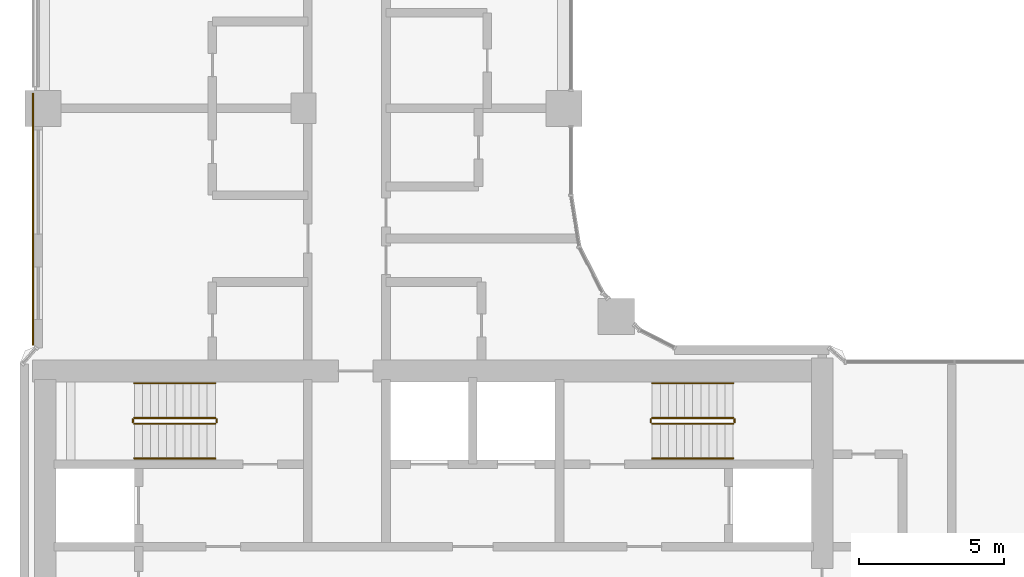
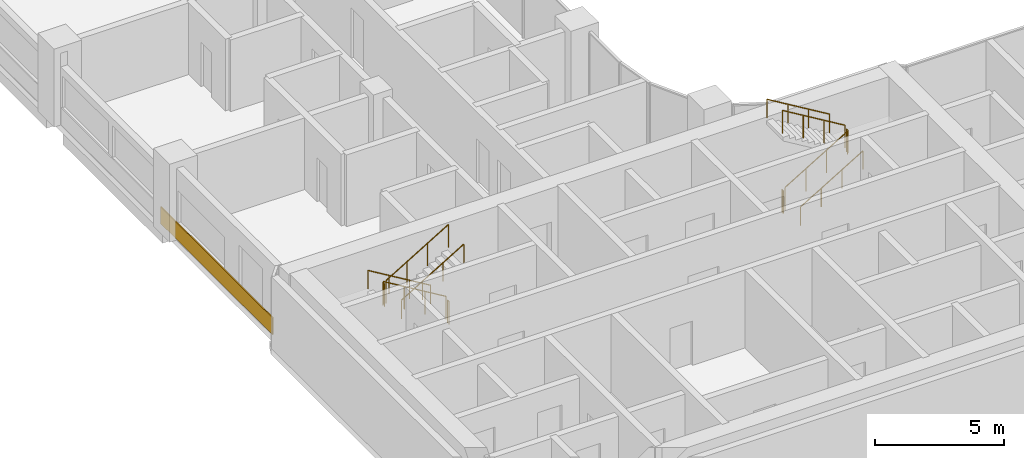
# One storey, part 29 of 33: 12 railings, 1 covering.
"""IFC4 building model written with IfcOpenShell, lengths in metres."""

from ifc_helpers import new_model, si_unit, direction, frame, origin, origin_2d, place, context, subcontext, project, spatial, rectangle, circle, extrude, material, layer, layer_set, type_object, element, save


model = new_model("IFC4")

# Units and contexts
model_context = context("Model", 3, precision=1e-05, world=origin(), true_north=direction((0.0, 1.0)))
body_context = subcontext(model_context, "Body", "Model", "MODEL_VIEW")
ifc_project = project(units=[si_unit("LENGTHUNIT", "METRE"), si_unit("AREAUNIT", "SQUARE_METRE"), si_unit("VOLUMEUNIT", "CUBIC_METRE"), si_unit("PLANEANGLEUNIT", "RADIAN"), si_unit("MASSUNIT", "GRAM", prefix="KILO")], contexts=[model_context])

# Site, building, storey
site_placement = place(None, origin())
site = spatial("IfcSite", under=ifc_project, at=site_placement, CompositionType="ELEMENT")
building_placement = place(site_placement, origin())
building = spatial("IfcBuilding", under=site, at=building_placement, Name="Ogive Portal Towers", CompositionType="ELEMENT")
storey_placement = place(building_placement, frame((0.0, 0.0, 101.89990234375)))
storey = spatial("IfcBuildingStorey", under=building, at=storey_placement, Name="L24", CompositionType="ELEMENT", Elevation=101.89990234375)

# Railings
ifc_material_1 = material(Name="Stainless steel balustrade", Category="steel")
railing_type_1 = type_object("IfcRailingType", Name="INT-GUARD", PredefinedType="GUARDRAIL", material=ifc_material_1)
railing_1_placement = place(storey_placement, frame((37.449951171875, 37.800048828125, 0.168212890625)))
element("IfcRailing", 1, at=railing_1_placement, inside=storey, type_object=railing_type_1, Name="L24 ST-A1 stair guard 1", PredefinedType="GUARDRAIL", context=body_context, shape_type="SweptSolid", body=[
    extrude(circle(Radius=0.02392578125, at=origin_2d()), frame((0.0, 0.0, 1.076171875), z_axis=(-0.857242210791, 0.0, 0.514913383045), x_axis=(0.0, -1.0, 0.0)), (0.0, 0.0, 1.0), 3.266357421875),
    extrude(circle(Radius=0.02099609375, at=origin_2d()), origin(), (0.0, 0.0, 1.0), 1.052001953125),
    extrude(circle(Radius=0.02099609375, at=origin_2d()), frame((-0.933349609375, 0.0, 0.560546875)), (0.0, 0.0, 1.0), 1.052001953125),
    extrude(circle(Radius=0.02099609375, at=origin_2d()), frame((-1.86669921875, 0.0, 1.121337890625)), (0.0, 0.0, 1.0), 1.052001953125),
    extrude(circle(Radius=0.02099609375, at=origin_2d()), frame((-2.800048828125, 0.0, 1.681884765625)), (0.0, 0.0, 1.0), 1.052001953125),
])
railing_2_placement = place(storey_placement, frame((34.60009765625, 37.75, 1.85009765625)))
element("IfcRailing", 2, at=railing_2_placement, inside=storey, type_object=railing_type_1, Name="L24 ST-A1 stair guard 2", PredefinedType="GUARDRAIL", context=body_context, shape_type="SweptSolid", body=[
    extrude(circle(Radius=0.02392578125, at=origin_2d()), frame((0.0, 0.0, 1.076171875), z_axis=(0.0, -1.0, 0.0), x_axis=(1.0, 0.0, 0.0)), (0.0, 0.0, 1.0), 0.10009765625),
    extrude(circle(Radius=0.02099609375, at=origin_2d()), origin(), (0.0, 0.0, 1.0), 1.052001953125),
    extrude(circle(Radius=0.02099609375, at=origin_2d()), frame((0.0, -0.10009765625, 0.0)), (0.0, 0.0, 1.0), 1.052001953125),
])
railing_3_placement = place(storey_placement, frame((34.64990234375, 37.60009765625, 2.018310546875)))
element("IfcRailing", 3, at=railing_3_placement, inside=storey, type_object=railing_type_1, Name="L24 ST-A1 stair guard 3", PredefinedType="GUARDRAIL", context=body_context, shape_type="SweptSolid", body=[
    extrude(circle(Radius=0.02392578125, at=origin_2d()), frame((0.0, 0.0, 1.076171875), z_axis=(0.857242210791, 0.0, 0.514913383045), x_axis=(0.0, 1.0, 0.0)), (0.0, 0.0, 1.0), 3.266357421875),
    extrude(circle(Radius=0.02099609375, at=origin_2d()), origin(), (0.0, 0.0, 1.0), 1.052001953125),
    extrude(circle(Radius=0.02099609375, at=origin_2d()), frame((0.933349609375, 0.0, 0.560546875)), (0.0, 0.0, 1.0), 1.052001953125),
    extrude(circle(Radius=0.02099609375, at=origin_2d()), frame((1.86669921875, 0.0, 1.121337890625)), (0.0, 0.0, 1.0), 1.052001953125),
    extrude(circle(Radius=0.02099609375, at=origin_2d()), frame((2.800048828125, 0.0, 1.681884765625)), (0.0, 0.0, 1.0), 1.052001953125),
])
railing_4_placement = place(storey_placement, frame((37.5, 37.75, 0.0)))
element("IfcRailing", 4, at=railing_4_placement, inside=storey, type_object=railing_type_1, Name="L24 ST-A1 stair guard 4", PredefinedType="GUARDRAIL", context=body_context, shape_type="SweptSolid", body=[
    extrude(circle(Radius=0.02392578125, at=origin_2d()), frame((0.0, 0.0, 1.076171875), z_axis=(0.0, -1.0, 0.0), x_axis=(1.0, 0.0, 0.0)), (0.0, 0.0, 1.0), 0.10009765625),
    extrude(circle(Radius=0.02099609375, at=origin_2d()), origin(), (0.0, 0.0, 1.0), 1.052001953125),
    extrude(circle(Radius=0.02099609375, at=origin_2d()), frame((0.0, -0.10009765625, 0.0)), (0.0, 0.0, 1.0), 1.052001953125),
])
railing_5_placement = place(storey_placement, frame((52.550048828125, 37.60009765625, 0.168212890625)))
element("IfcRailing", 5, at=railing_5_placement, inside=storey, type_object=railing_type_1, Name="L24 ST-A2 stair guard 1", PredefinedType="GUARDRAIL", context=body_context, shape_type="SweptSolid", body=[
    extrude(circle(Radius=0.02392578125, at=origin_2d()), frame((0.0, 0.0, 1.076171875), z_axis=(0.857242210791, 0.0, 0.514913383045), x_axis=(0.0, 1.0, 0.0)), (0.0, 0.0, 1.0), 3.266357421875),
    extrude(circle(Radius=0.02099609375, at=origin_2d()), origin(), (0.0, 0.0, 1.0), 1.052001953125),
    extrude(circle(Radius=0.02099609375, at=origin_2d()), frame((0.933349609375, 0.0, 0.560546875)), (0.0, 0.0, 1.0), 1.052001953125),
    extrude(circle(Radius=0.02099609375, at=origin_2d()), frame((1.86669921875, 0.0, 1.121337890625)), (0.0, 0.0, 1.0), 1.052001953125),
    extrude(circle(Radius=0.02099609375, at=origin_2d()), frame((2.800048828125, 0.0, 1.681884765625)), (0.0, 0.0, 1.0), 1.052001953125),
])
railing_6_placement = place(storey_placement, frame((55.39990234375, 37.64990234375, 1.85009765625)))
element("IfcRailing", 6, at=railing_6_placement, inside=storey, type_object=railing_type_1, Name="L24 ST-A2 stair guard 2", PredefinedType="GUARDRAIL", context=body_context, shape_type="SweptSolid", body=[
    extrude(circle(Radius=0.02392578125, at=origin_2d()), frame((0.0, 0.0, 1.076171875), z_axis=(0.0, 1.0, 0.0), x_axis=(-1.0, 0.0, 0.0)), (0.0, 0.0, 1.0), 0.10009765625),
    extrude(circle(Radius=0.02099609375, at=origin_2d()), origin(), (0.0, 0.0, 1.0), 1.052001953125),
    extrude(circle(Radius=0.02099609375, at=origin_2d()), frame((0.0, 0.10009765625, 0.0)), (0.0, 0.0, 1.0), 1.052001953125),
])
railing_7_placement = place(storey_placement, frame((55.35009765625, 37.800048828125, 2.018310546875)))
element("IfcRailing", 7, at=railing_7_placement, inside=storey, type_object=railing_type_1, Name="L24 ST-A2 stair guard 3", PredefinedType="GUARDRAIL", context=body_context, shape_type="SweptSolid", body=[
    extrude(circle(Radius=0.02392578125, at=origin_2d()), frame((0.0, 0.0, 1.076171875), z_axis=(-0.857242210791, 0.0, 0.514913383045), x_axis=(0.0, -1.0, 0.0)), (0.0, 0.0, 1.0), 3.266357421875),
    extrude(circle(Radius=0.02099609375, at=origin_2d()), origin(), (0.0, 0.0, 1.0), 1.052001953125),
    extrude(circle(Radius=0.02099609375, at=origin_2d()), frame((-0.933349609375, 0.0, 0.560546875)), (0.0, 0.0, 1.0), 1.052001953125),
    extrude(circle(Radius=0.02099609375, at=origin_2d()), frame((-1.86669921875, 0.0, 1.121337890625)), (0.0, 0.0, 1.0), 1.052001953125),
    extrude(circle(Radius=0.02099609375, at=origin_2d()), frame((-2.800048828125, 0.0, 1.681884765625)), (0.0, 0.0, 1.0), 1.052001953125),
])
railing_8_placement = place(storey_placement, frame((52.5, 37.64990234375, 0.0)))
element("IfcRailing", 8, at=railing_8_placement, inside=storey, type_object=railing_type_1, Name="L24 ST-A2 stair guard 4", PredefinedType="GUARDRAIL", context=body_context, shape_type="SweptSolid", body=[
    extrude(circle(Radius=0.02392578125, at=origin_2d()), frame((0.0, 0.0, 1.076171875), z_axis=(0.0, 1.0, 0.0), x_axis=(-1.0, 0.0, 0.0)), (0.0, 0.0, 1.0), 0.10009765625),
    extrude(circle(Radius=0.02099609375, at=origin_2d()), origin(), (0.0, 0.0, 1.0), 1.052001953125),
    extrude(circle(Radius=0.02099609375, at=origin_2d()), frame((0.0, 0.10009765625, 0.0)), (0.0, 0.0, 1.0), 1.052001953125),
])
ifc_material_2 = material(Name="Stainless steel handrail", Category="steel")
railing_type_2 = type_object("IfcRailingType", Name="INT-HANDRAIL", PredefinedType="HANDRAIL", material=ifc_material_2)
railing_9_placement = place(storey_placement, frame((37.449951171875, 39.0, 0.168212890625)))
element("IfcRailing", 9, at=railing_9_placement, inside=storey, type_object=railing_type_2, Name="L24 ST-A1 stair handrail 1", PredefinedType="HANDRAIL", context=body_context, shape_type="SweptSolid", body=[
    extrude(circle(Radius=0.02392578125, at=origin_2d()), frame((0.0, 0.0, 0.8759765625), z_axis=(-0.857242210791, 0.0, 0.514913383045), x_axis=(0.0, -1.0, 0.0)), (0.0, 0.0, 1.0), 3.266357421875),
    extrude(circle(Radius=0.02099609375, at=origin_2d()), origin(), (0.0, 0.0, 1.0), 0.851806640625),
    extrude(circle(Radius=0.02099609375, at=origin_2d()), frame((-0.933349609375, 0.0, 0.560546875)), (0.0, 0.0, 1.0), 0.851806640625),
    extrude(circle(Radius=0.02099609375, at=origin_2d()), frame((-1.86669921875, 0.0, 1.121337890625)), (0.0, 0.0, 1.0), 0.851806640625),
    extrude(circle(Radius=0.02099609375, at=origin_2d()), frame((-2.800048828125, 0.0, 1.681884765625)), (0.0, 0.0, 1.0), 0.851806640625),
])
for number, where, name in (
    (10, (34.64990234375, 36.39990234375, 2.018310546875), "L24 ST-A1 stair handrail 2"),
    (11, (52.550048828125, 36.39990234375, 0.168212890625), "L24 ST-A2 stair handrail 1"),
):
    element("IfcRailing", number, at=place(storey_placement, frame(where)), inside=storey, type_object=railing_type_2, Name=name, PredefinedType="HANDRAIL", context=body_context, shape_type="SweptSolid", body=[
        extrude(circle(Radius=0.02392578125, at=origin_2d()), frame((0.0, 0.0, 0.8759765625), z_axis=(0.857242210791, 0.0, 0.514913383045), x_axis=(0.0, 1.0, 0.0)), (0.0, 0.0, 1.0), 3.266357421875),
        extrude(circle(Radius=0.02099609375, at=origin_2d()), origin(), (0.0, 0.0, 1.0), 0.851806640625),
        extrude(circle(Radius=0.02099609375, at=origin_2d()), frame((0.933349609375, 0.0, 0.560546875)), (0.0, 0.0, 1.0), 0.851806640625),
        extrude(circle(Radius=0.02099609375, at=origin_2d()), frame((1.86669921875, 0.0, 1.121337890625)), (0.0, 0.0, 1.0), 0.851806640625),
        extrude(circle(Radius=0.02099609375, at=origin_2d()), frame((2.800048828125, 0.0, 1.681884765625)), (0.0, 0.0, 1.0), 0.851806640625),
    ])
railing_10_placement = place(storey_placement, frame((55.35009765625, 39.0, 2.018310546875)))
element("IfcRailing", 12, at=railing_10_placement, inside=storey, type_object=railing_type_2, Name="L24 ST-A2 stair handrail 2", PredefinedType="HANDRAIL", context=body_context, shape_type="SweptSolid", body=[
    extrude(circle(Radius=0.02392578125, at=origin_2d()), frame((0.0, 0.0, 0.8759765625), z_axis=(-0.857242210791, 0.0, 0.514913383045), x_axis=(0.0, -1.0, 0.0)), (0.0, 0.0, 1.0), 3.266357421875),
    extrude(circle(Radius=0.02099609375, at=origin_2d()), origin(), (0.0, 0.0, 1.0), 0.851806640625),
    extrude(circle(Radius=0.02099609375, at=origin_2d()), frame((-0.933349609375, 0.0, 0.560546875)), (0.0, 0.0, 1.0), 0.851806640625),
    extrude(circle(Radius=0.02099609375, at=origin_2d()), frame((-1.86669921875, 0.0, 1.121337890625)), (0.0, 0.0, 1.0), 0.851806640625),
    extrude(circle(Radius=0.02099609375, at=origin_2d()), frame((-2.800048828125, 0.0, 1.681884765625)), (0.0, 0.0, 1.0), 0.851806640625),
])

# Covering
ifc_material_3 = material(Name="Limestone cladding on lightweight block wall", Category="masonry")
ifc_layer = layer(ifc_material_3, 0.050048828125)
ifc_layer_set = layer_set([ifc_layer], Name="SCREEN PERFORATED STONE")
covering_type = type_object("IfcCoveringType", Name="SCREEN PERFORATED STONE", PredefinedType="CLADDING", material=ifc_layer_set)
covering_placement = place(storey_placement, frame((31.155029296875, 44.672607421875, 0.10009765625), z_axis=(0.0, 0.0, 1.0), x_axis=(0.0, -1.0, 0.0)))
element("IfcCovering", 13, at=covering_placement, inside=storey, type_object=covering_type, Name="Tracery screen", PredefinedType="CLADDING", context=body_context, shape_type="SweptSolid", body=[
    extrude(rectangle(XDim=8.70458984375, YDim=0.050048828125, at=origin_2d()), origin(), (0.0, 0.0, 1.0), 0.800048828125),
])

save(model, "model.ifc")
